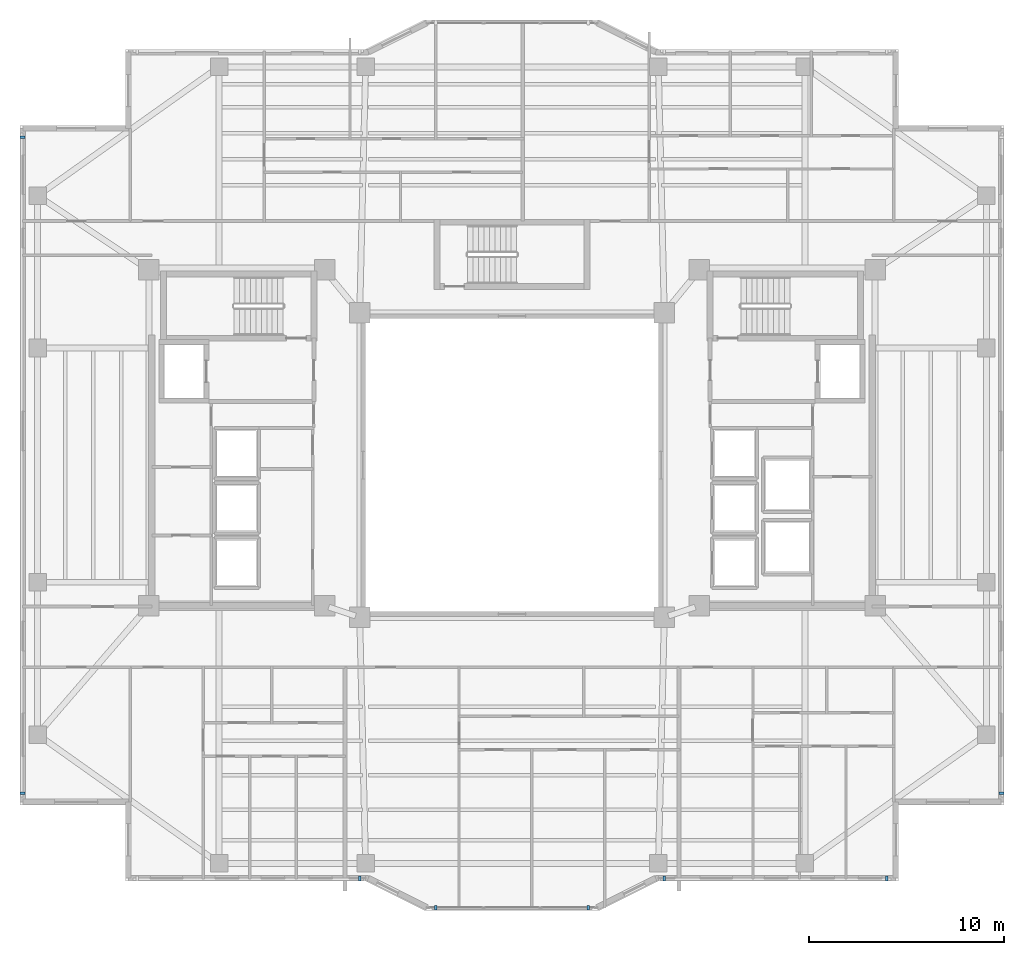
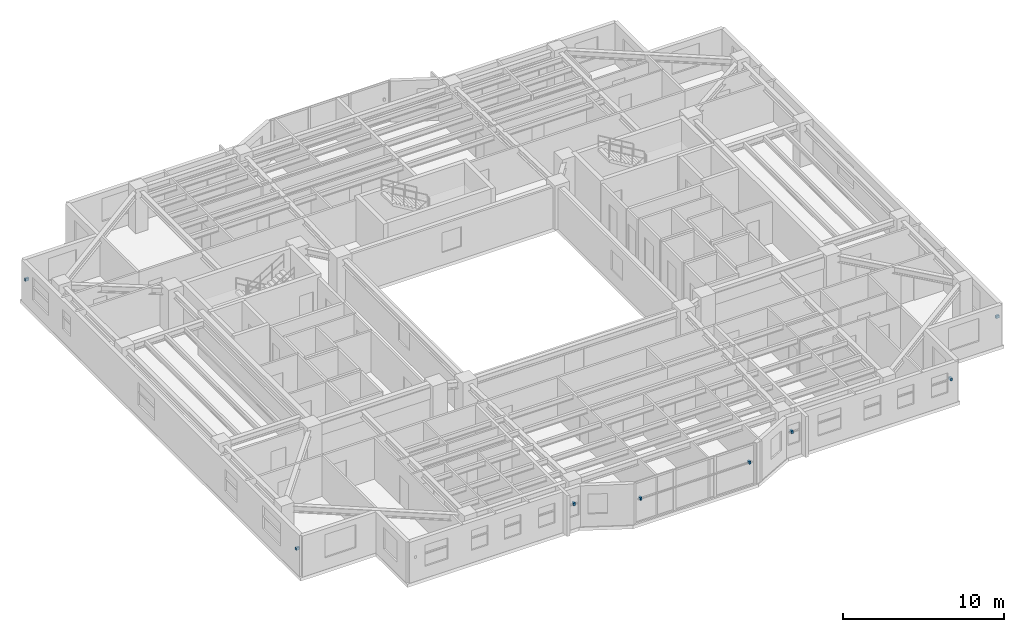
# One storey, part 12 of 16: 8 discrete accessories.
"""IFC4 building model written with IfcOpenShell, lengths in metres."""

from ifc_helpers import new_model, si_unit, direction, frame, origin, origin_2d, place, context, subcontext, project, spatial, rectangle, extrude, material, type_object, element, save


model = new_model("IFC4")

# Units and contexts
model_context = context("Model", 3, precision=1e-05, world=origin(), true_north=direction((0.0, 1.0)))
body_context = subcontext(model_context, "Body", "Model", "MODEL_VIEW")
ifc_project = project(units=[si_unit("LENGTHUNIT", "METRE"), si_unit("AREAUNIT", "SQUARE_METRE"), si_unit("VOLUMEUNIT", "CUBIC_METRE"), si_unit("PLANEANGLEUNIT", "RADIAN"), si_unit("MASSUNIT", "GRAM", prefix="KILO")], contexts=[model_context])

# Site, building, storey
site_placement = place(None, origin())
site = spatial("IfcSite", under=ifc_project, at=site_placement, CompositionType="ELEMENT")
building_placement = place(site_placement, origin())
building = spatial("IfcBuilding", under=site, at=building_placement, Name="Tarnavaz Court Tower", CompositionType="ELEMENT")
storey_placement = place(building_placement, frame((0.0, 0.0, 149.35009765625)))
storey = spatial("IfcBuildingStorey", under=building, at=storey_placement, Name="L40", CompositionType="ELEMENT", Elevation=149.35009765625)

# Discrete accessories
ifc_material = material(Name="Anodised Aluminium 6063-T6", Category="aluminium")
discrete_accessory_type = type_object("IfcDiscreteAccessoryType", Name="DA-BRKT-ALU", PredefinedType="BRACKET", material=ifc_material)
for number, where, z_axis, x_axis, name in (
    (1, (-25.070068359375, -16.800048828125, 1.75), (0.0, 0.0, 1.0), (0.0, 1.0, 0.0), "L40 Baguette Outrigger Bracket FBG02-1"),
    (2, (-25.070068359375, 16.800048828125, 1.75), (0.0, 0.0, 1.0), (0.0, 1.0, 0.0), "L40 Baguette Outrigger Bracket FBG02-2"),
    (3, (25.070068359375, -16.800048828125, 1.75), (0.0, 0.0, 1.0), (0.0, -1.0, 0.0), "L40 Baguette Outrigger Bracket FBG12-2"),
    (4, (19.199951171875, -21.169921875, 1.75), (0.0, 0.0, 1.0), (-1.0, 0.0, 0.0), "L40 Baguette Outrigger Bracket FBG15-1"),
    (5, (7.800048828125, -21.169921875, 1.75), (0.0, 0.0, 1.0), (-1.0, 0.0, 0.0), "L40 Baguette Outrigger Bracket FBG15-2"),
    (6, (3.89990234375, -22.669921875, 1.69970703125), (0.0, 0.0, 1.0), (-1.0, 0.0, 0.0), "L40 Baguette Outrigger Bracket PBG17-1"),
    (7, (-3.89990234375, -22.669921875, 1.69970703125), (0.0, 0.0, 1.0), (-1.0, 0.0, 0.0), "L40 Baguette Outrigger Bracket PBG17-2"),
    (8, (-7.800048828125, -21.169921875, 1.75), (0.0, 0.0, 1.0), (-1.0, 0.0, 0.0), "L40 Baguette Outrigger Bracket FBG19-1"),
):
    element("IfcDiscreteAccessory", number, at=place(storey_placement, frame(where, z_axis=z_axis, x_axis=x_axis)), inside=storey, type_object=discrete_accessory_type, Name=name, PredefinedType="BRACKET", context=body_context, shape_type="SweptSolid", body=[
        extrude(rectangle(XDim=0.139892578125, YDim=0.239990234375, at=origin_2d()), origin(), (0.0, 0.0, 1.0), 0.199951171875),
    ])

save(model, "model.ifc")
